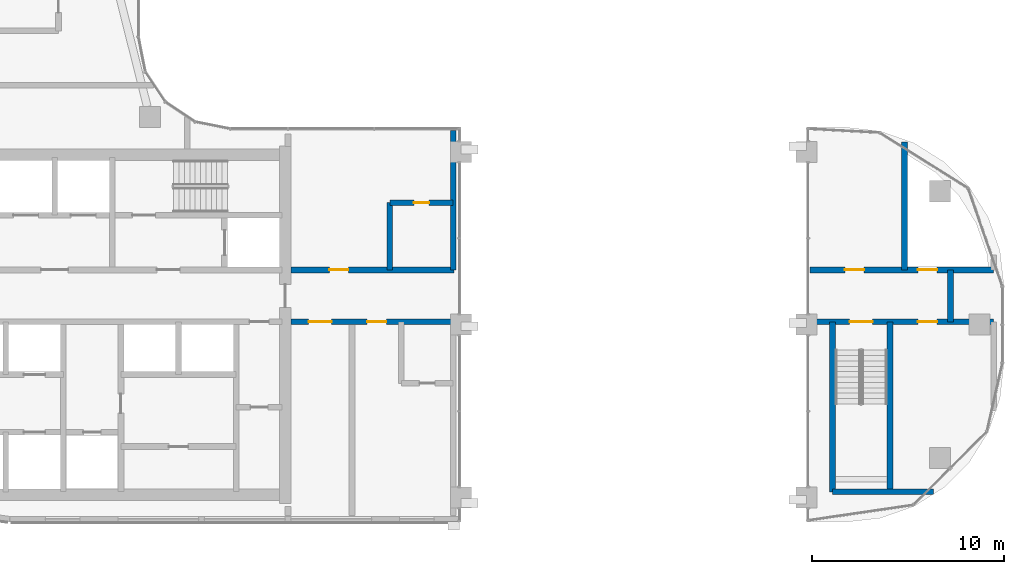
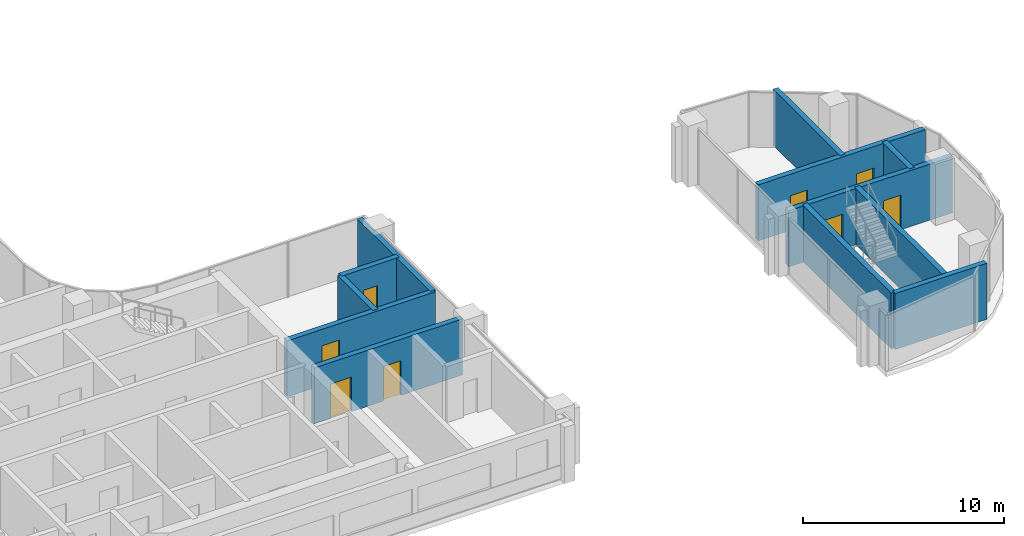
# One storey, part 12 of 23: 12 walls, 8 doors, 8 openings.
"""IFC4 building model written with IfcOpenShell, lengths in metres."""

import ifcopenshell
import ifcopenshell.guid

model = None  # the IFC model being written
_history = None  # IfcOwnerHistory: only IFC2X3 demands one
_inside = {}  # id of a spatial element -> (the spatial element, [elements in it])
_under = {}  # id of a project, library or spatial element -> (it, [spatial elements below it])
_declared = {}  # id of a project -> (the project, [libraries it declares])
_typed = {}  # id of a type object -> (the type object, [elements of that type])
_made_of = {}  # id of a material, layer set ... -> (it, [elements and type objects made of it])


def new_model(schema):
    """Start an empty IFC model of exactly this schema.

    Asked for "IFC4X3", IfcOpenShell would pick the latest addendum, in which some entities
    have other attributes; the version numbers below select the first issue.
    IFC2X3 requires an IfcOwnerHistory on every rooted entity: one is made here for all.
    """
    global model, _history
    if schema == "IFC4X3":
        model = ifcopenshell.file(schema_version=(4, 3, 0, 0))
    else:
        model = ifcopenshell.file(schema=schema)
    _inside.clear()
    _under.clear()
    _declared.clear()
    _typed.clear()
    _made_of.clear()
    _history = None
    if model.schema == "IFC2X3":
        org = make("IfcOrganization", Name="unknown")
        user = make(
            "IfcPersonAndOrganization",
            ThePerson=make("IfcPerson", FamilyName="unknown"),
            TheOrganization=org,
        )
        app = make(
            "IfcApplication",
            ApplicationDeveloper=org,
            Version="unknown",
            ApplicationFullName="unknown",
            ApplicationIdentifier="unknown",
        )
        _history = make(
            "IfcOwnerHistory",
            OwningUser=user,
            OwningApplication=app,
            ChangeAction="ADDED",
            CreationDate=0,
        )
    return model


def make(cls, **values):
    """One entity of the class cls with the attributes given. An attribute that is None is left unset."""
    return model.create_entity(
        cls, **{name: value for name, value in values.items() if value is not None}
    )


def rooted(cls, **values):
    """An entity with a GlobalId (a new one), such as an element, a storey or a relation."""
    return make(cls, GlobalId=ifcopenshell.guid.new(), OwnerHistory=_history, **values)


def si_unit(unit_type, name, prefix=None):
    """IfcSIUnit, for example si_unit("LENGTHUNIT", "METRE", prefix="MILLI")."""
    return make("IfcSIUnit", UnitType=unit_type, Prefix=prefix, Name=name)


def assignment(units):
    """IfcUnitAssignment: the units of a project."""
    return None if units is None else make("IfcUnitAssignment", Units=units)


def point(xyz):
    """IfcCartesianPoint."""
    return None if xyz is None else make("IfcCartesianPoint", Coordinates=xyz)


def direction(xyz):
    """IfcDirection."""
    return None if xyz is None else make("IfcDirection", DirectionRatios=xyz)


def frame(location, z_axis=None, x_axis=None):
    """IfcAxis2Placement3D, a coordinate frame: its origin and axes. An axis left out is left unset."""
    return make(
        "IfcAxis2Placement3D",
        Location=point(location),
        Axis=direction(z_axis),
        RefDirection=direction(x_axis),
    )


def frame_2d(location, x_axis=None):
    """IfcAxis2Placement2D, a coordinate frame in the plane: its origin and x axis."""
    return make(
        "IfcAxis2Placement2D", Location=point(location), RefDirection=direction(x_axis)
    )


def origin():
    """The frame at (0, 0, 0) with its axes left unset."""
    return frame((0.0, 0.0, 0.0))


def place(relative_to, where):
    """IfcLocalPlacement: puts the frame where relative to a parent placement (None: the world)."""
    return make(
        "IfcLocalPlacement", PlacementRelTo=relative_to, RelativePlacement=where
    )


def context(
    kind, dimensions, precision=None, world=None, true_north=None, identifier=None
):
    """IfcGeometricRepresentationContext, for example the 3D "Model" context."""
    return make(
        "IfcGeometricRepresentationContext",
        ContextIdentifier=identifier,
        ContextType=kind,
        CoordinateSpaceDimension=dimensions,
        Precision=precision,
        WorldCoordinateSystem=world,
        TrueNorth=true_north,
    )


def subcontext(parent, identifier, kind, view, scale=None):
    """IfcGeometricRepresentationSubContext, for example "Body" below "Model"."""
    return make(
        "IfcGeometricRepresentationSubContext",
        ContextIdentifier=identifier,
        ContextType=kind,
        ParentContext=parent,
        TargetScale=scale,
        TargetView=view,
    )


def project(units=None, contexts=None):
    """IfcProject with its units and contexts."""
    return rooted(
        "IfcProject",
        Name="project",
        RepresentationContexts=contexts,
        UnitsInContext=assignment(units),
    )


def spatial(cls, under=None, at=None, **own):
    """A site, building, storey or space (cls), placed at a placement, below another one or the project."""
    s = rooted(cls, ObjectPlacement=at, **own)
    if under is not None:
        _under.setdefault(under.id(), (under, []))[1].append(s)
    return s


def profile(cls, at=None, kind="AREA", **sizes):
    """A parametric profile (cls). Its sizes go by their IFC names, for example OverallWidth=200.0."""
    return make(cls, ProfileType=kind, Position=at, **sizes)


def rectangle(**sizes):
    """IfcRectangleProfileDef."""
    return profile("IfcRectangleProfileDef", **sizes)


def extrude(swept, where, along, depth):
    """IfcExtrudedAreaSolid: the profile swept, set in the frame where, extruded along a direction by depth."""
    return make(
        "IfcExtrudedAreaSolid",
        SweptArea=swept,
        Position=where,
        ExtrudedDirection=direction(along),
        Depth=depth,
    )


def shape(context_of_items, identifier, shape_type, items):
    """IfcShapeRepresentation: the items that make up one representation, for example the "Body"."""
    return make(
        "IfcShapeRepresentation",
        ContextOfItems=context_of_items,
        RepresentationIdentifier=identifier,
        RepresentationType=shape_type,
        Items=items,
    )


def material(Name=None, Category=None):
    """IfcMaterial."""
    return make("IfcMaterial", Name=Name, Category=Category)


def layer(
    of_material, thickness, ventilated=None, Name=None, Category=None, Priority=None
):
    """IfcMaterialLayer: one layer of a wall or slab, of a material (None: an air gap)."""
    return make(
        "IfcMaterialLayer",
        Material=of_material,
        LayerThickness=thickness,
        IsVentilated=ventilated,
        Name=Name,
        Category=Category,
        Priority=Priority,
    )


def layer_set(layers, Name=None):
    """IfcMaterialLayerSet."""
    return make("IfcMaterialLayerSet", MaterialLayers=layers, LayerSetName=Name)


def made_of(thing, what):
    """Note that an element or type object is made of a material, layer set ...; save() writes the relation."""
    if what is not None:
        _made_of.setdefault(what.id(), (what, []))[1].append(thing)
    return thing


def type_object(cls, material=None, **own):
    """A type object (cls), such as IfcWallType, which elements share."""
    return made_of(rooted(cls, **own), material)


def element(
    cls,
    number,
    at=None,
    inside=None,
    cuts=None,
    type_object=None,
    material=None,
    context=None,
    identifier="Body",
    shape_type=None,
    held_by="IfcProductDefinitionShape",
    body=None,
    shapes=None,
    **own,
):
    """One element of the class cls, such as IfcWall. Its Tag is "e" and its number.

    at: its placement. inside: the storey or other place that contains it. cuts: it is an
    opening in that element (IfcRelVoidsElement). A single representation is given by context,
    identifier, shape_type and body (its items); several are given by shapes. held_by: the class
    of the entity that holds the representations. save() writes the other relations.
    """
    e = rooted(cls, Tag="e%d" % number, ObjectPlacement=at, **own)
    if body is not None:
        shapes = [shape(context, identifier, shape_type, body)]
    if shapes is not None:
        e.Representation = make(held_by, Representations=shapes)
    if inside is not None:
        _inside.setdefault(inside.id(), (inside, []))[1].append(e)
    if cuts is not None:
        rooted(
            "IfcRelVoidsElement", RelatingBuildingElement=cuts, RelatedOpeningElement=e
        )
    if type_object is not None:
        _typed.setdefault(type_object.id(), (type_object, []))[1].append(e)
    return made_of(e, material)


def fill(opening, filler):
    """IfcRelFillsElement: the door or window that sits in an opening."""
    return rooted(
        "IfcRelFillsElement",
        RelatingOpeningElement=opening,
        RelatedBuildingElement=filler,
    )


def aggregate(whole, parts):
    """IfcRelAggregates: a whole, such as a stair, and the parts it consists of."""
    return rooted("IfcRelAggregates", RelatingObject=whole, RelatedObjects=parts)


def save(model, path):
    """Write the relations noted so far, then the file.

    IfcRelAggregates (storeys below a building ...), IfcRelContainedInSpatialStructure (elements
    in a storey), IfcRelDefinesByType, IfcRelAssociatesMaterial and IfcRelDeclares: one each for
    every whole, place, type object, material and project.
    """
    for whole, parts in _under.values():
        aggregate(whole, parts)
    for where, things in _inside.values():
        rooted(
            "IfcRelContainedInSpatialStructure",
            RelatedElements=things,
            RelatingStructure=where,
        )
    for kind, things in _typed.values():
        rooted("IfcRelDefinesByType", RelatedObjects=things, RelatingType=kind)
    for what, things in _made_of.values():
        rooted("IfcRelAssociatesMaterial", RelatedObjects=things, RelatingMaterial=what)
    for by, libraries in _declared.values():
        rooted("IfcRelDeclares", RelatingContext=by, RelatedDefinitions=libraries)
    model.write(path)


model = new_model("IFC4")

# Units and contexts
model_context = context("Model", 3, precision=1e-05, world=origin(), true_north=direction((0.0, 1.0)))
body_context = subcontext(model_context, "Body", "Model", "MODEL_VIEW")
ifc_project = project(units=[si_unit("LENGTHUNIT", "METRE"), si_unit("AREAUNIT", "SQUARE_METRE"), si_unit("VOLUMEUNIT", "CUBIC_METRE"), si_unit("PLANEANGLEUNIT", "RADIAN"), si_unit("MASSUNIT", "GRAM", prefix="KILO")], contexts=[model_context])

# Site, building, storey
site_placement = place(None, origin())
site = spatial("IfcSite", under=ifc_project, at=site_placement, CompositionType="ELEMENT")
building_placement = place(site_placement, origin())
building = spatial("IfcBuilding", under=site, at=building_placement, Name="Ogive Portal Towers", CompositionType="ELEMENT")
storey_placement = place(building_placement, frame((0.0, 0.0, 168.10009765625)))
storey = spatial("IfcBuildingStorey", under=building, at=storey_placement, Name="L41", CompositionType="ELEMENT", Elevation=168.10009765625)

# Wall
ifc_material_1 = material(Name="Concrete C50/60", Category="concrete")
ifc_layer_1 = layer(ifc_material_1, 0.300048828125)
ifc_layer_set_1 = layer_set([ifc_layer_1], Name="STAIR WALL 300 C50")
wall_type_1 = type_object("IfcWallType", Name="STAIR WALL 300 C50", PredefinedType="SHEAR", material=ifc_layer_set_1)
wall_1_placement = place(storey_placement, frame((86.85009765625, 21.800048828125, 0.0), z_axis=(0.0, 0.0, 1.0), x_axis=(1.0, 0.0, 0.0)))
element("IfcWall", 1, at=wall_1_placement, inside=storey, type_object=wall_type_1, Name="Stair wall ST-A4 L41", PredefinedType="SHEAR", context=body_context, shape_type="SweptSolid", body=[
    extrude(rectangle(XDim=5.263916015625, YDim=0.300048828125, at=frame_2d((2.6318359375, 0.0))), origin(), (0.0, 0.0, 1.0), 3.39990234375),
])

# Wall, openings, doors
wall_2_placement = place(storey_placement, frame((85.85009765625, 30.64990234375, 0.0), z_axis=(0.0, 0.0, 1.0), x_axis=(1.0, 0.0, 0.0)))
wall_2 = element("IfcWall", 2, at=wall_2_placement, inside=storey, type_object=wall_type_1, Name="Stair wall ST-A4 L41", PredefinedType="SHEAR", context=body_context, shape_type="SweptSolid", body=[
    extrude(rectangle(XDim=9.39990234375, YDim=0.300048828125, at=frame_2d((4.699951171875, 0.0))), origin(), (0.0, 0.0, 1.0), 3.39990234375),
])
opening_1_placement = place(wall_2_placement, frame((1.89990234375, 0.0, 0.0)))
opening_1 = element("IfcOpeningElement", 3, at=opening_1_placement, cuts=wall_2, Name="Opening D16-048", PredefinedType="OPENING", context=body_context, shape_type="SweptSolid", body=[
    extrude(rectangle(XDim=1.199951171875, YDim=2.10009765625, at=frame_2d((0.60009765625, 1.050048828125))), frame((0.0, 0.16015625, 0.0), z_axis=(0.0, -1.0, 0.0), x_axis=(1.0, 0.0, 0.0)), (0.0, 0.0, 1.0), 0.320068359375),
])
opening_2_placement = place(wall_2_placement, frame((5.449951171875, 0.0, 0.0)))
opening_2 = element("IfcOpeningElement", 4, at=opening_2_placement, cuts=wall_2, Name="Opening D16-051", PredefinedType="OPENING", context=body_context, shape_type="SweptSolid", body=[
    extrude(rectangle(XDim=1.0, YDim=2.10009765625, at=frame_2d((0.5, 1.050048828125))), frame((0.0, 0.16015625, 0.0), z_axis=(0.0, -1.0, 0.0), x_axis=(1.0, 0.0, 0.0)), (0.0, 0.0, 1.0), 0.320068359375),
])
ifc_material_2 = material(Name="Steel fire door", Category="steel")
door_type_1 = type_object("IfcDoorType", Name="DT-SERVICE-1000x2100-FD90S", OperationType="SINGLE_SWING_LEFT", PredefinedType="DOOR", material=ifc_material_2)
door_1_placement = place(opening_2_placement, origin())
door_1 = element("IfcDoor", 5, at=door_1_placement, inside=storey, type_object=door_type_1, Name="Door D16-051", OperationType="SINGLE_SWING_LEFT", OverallHeight=2.10009765625, OverallWidth=1.0, PredefinedType="DOOR", context=body_context, shape_type="SweptSolid", body=[
    extrude(rectangle(XDim=1.0, YDim=2.10009765625, at=frame_2d((0.5, 1.050048828125))), frame((0.0, 0.02490234375, 0.0), z_axis=(0.0, -1.0, 0.0), x_axis=(1.0, 0.0, 0.0)), (0.0, 0.0, 1.0), 0.050048828125),
])
fill(opening_2, door_1)
door_type_2 = type_object("IfcDoorType", Name="DT-STAIR-1200x2100-FD90S", OperationType="SINGLE_SWING_LEFT", PredefinedType="DOOR", material=ifc_material_2)
door_2_placement = place(opening_1_placement, origin())
door_2 = element("IfcDoor", 6, at=door_2_placement, inside=storey, type_object=door_type_2, Name="Door D16-048", OperationType="SINGLE_SWING_LEFT", OverallHeight=2.10009765625, OverallWidth=1.199951171875, PredefinedType="DOOR", context=body_context, shape_type="SweptSolid", body=[
    extrude(rectangle(XDim=1.199951171875, YDim=2.10009765625, at=frame_2d((0.60009765625, 1.050048828125))), frame((0.0, 0.02490234375, 0.0), z_axis=(0.0, -1.0, 0.0), x_axis=(1.0, 0.0, 0.0)), (0.0, 0.0, 1.0), 0.050048828125),
])
fill(opening_1, door_2)

# Walls
for number, where, z_axis, x_axis, name in (
    (7, (86.85009765625, 21.800048828125, 0.0), (0.0, 0.0, 1.0), (0.0, 1.0, 0.0), "Stair wall ST-A4 L41"),
    (8, (89.85009765625, 21.800048828125, 0.0), (0.0, 0.0, 1.0), (0.0, 1.0, 0.0), "Stair wall ST-A4 L41"),
):
    element("IfcWall", number, at=place(storey_placement, frame(where, z_axis=z_axis, x_axis=x_axis)), inside=storey, type_object=wall_type_1, Name=name, PredefinedType="SHEAR", context=body_context, shape_type="SweptSolid", body=[
        extrude(rectangle(XDim=8.849853515625, YDim=0.300048828125, at=frame_2d((4.4248046875, 0.0))), origin(), (0.0, 0.0, 1.0), 3.39990234375),
    ])

# Wall, openings, doors
ifc_material_3 = material(Name="Gypsum board partition on steel studs", Category="steel")
ifc_layer_2 = layer(ifc_material_3, 0.300048828125)
ifc_layer_set_2 = layer_set([ifc_layer_2], Name="WT-PART-300-EI 120")
wall_type_2 = type_object("IfcWallType", Name="WT-PART-300-EI 120", PredefinedType="PARTITIONING", material=ifc_layer_set_2)
wall_3_placement = place(storey_placement, frame((58.64990234375, 30.64990234375, 0.0), z_axis=(0.0, 0.0, 1.0), x_axis=(1.0, 0.0, 0.0)))
wall_3 = element("IfcWall", 9, at=wall_3_placement, inside=storey, type_object=wall_type_2, Name="Wall L41:w003", PredefinedType="PARTITIONING", context=body_context, shape_type="SweptSolid", body=[
    extrude(rectangle(XDim=8.5, YDim=0.300048828125, at=frame_2d((4.25, 0.0))), origin(), (0.0, 0.0, 1.0), 3.39990234375),
])
opening_3_placement = place(wall_3_placement, frame((0.9189453125, 0.0, 0.0)))
opening_3 = element("IfcOpeningElement", 10, at=opening_3_placement, cuts=wall_3, Name="Opening D16-028", PredefinedType="OPENING", context=body_context, shape_type="SweptSolid", body=[
    extrude(rectangle(XDim=1.199951171875, YDim=2.10009765625, at=frame_2d((0.60009765625, 1.050048828125))), frame((0.0, 0.16015625, 0.0), z_axis=(0.0, -1.0, 0.0), x_axis=(1.0, 0.0, 0.0)), (0.0, 0.0, 1.0), 0.320068359375),
])
opening_4_placement = place(wall_3_placement, frame((3.968994140625, 0.0, 0.0)))
opening_4 = element("IfcOpeningElement", 11, at=opening_4_placement, cuts=wall_3, Name="Opening D16-030", PredefinedType="OPENING", context=body_context, shape_type="SweptSolid", body=[
    extrude(rectangle(XDim=1.0, YDim=2.10009765625, at=frame_2d((0.5, 1.050048828125))), frame((0.0, 0.16015625, 0.0), z_axis=(0.0, -1.0, 0.0), x_axis=(1.0, 0.0, 0.0)), (0.0, 0.0, 1.0), 0.320068359375),
])
door_type_3 = type_object("IfcDoorType", Name="DT-ENTRY-1000x2100-FD90S", OperationType="SINGLE_SWING_LEFT", PredefinedType="DOOR", material=ifc_material_2)
door_3_placement = place(opening_4_placement, origin())
door_3 = element("IfcDoor", 12, at=door_3_placement, inside=storey, type_object=door_type_3, Name="Door D16-030", OperationType="SINGLE_SWING_LEFT", OverallHeight=2.10009765625, OverallWidth=1.0, PredefinedType="DOOR", context=body_context, shape_type="SweptSolid", body=[
    extrude(rectangle(XDim=1.0, YDim=2.10009765625, at=frame_2d((0.5, 1.050048828125))), frame((0.0, 0.02490234375, 0.0), z_axis=(0.0, -1.0, 0.0), x_axis=(1.0, 0.0, 0.0)), (0.0, 0.0, 1.0), 0.050048828125),
])
fill(opening_4, door_3)
door_type_4 = type_object("IfcDoorType", Name="DT-ENTRY-1200x2100-FD90S", OperationType="SINGLE_SWING_LEFT", PredefinedType="DOOR", material=ifc_material_2)
door_4_placement = place(opening_3_placement, origin())
door_4 = element("IfcDoor", 13, at=door_4_placement, inside=storey, type_object=door_type_4, Name="Door D16-028", OperationType="SINGLE_SWING_RIGHT", OverallHeight=2.10009765625, OverallWidth=1.199951171875, PredefinedType="DOOR", context=body_context, shape_type="SweptSolid", body=[
    extrude(rectangle(XDim=1.199951171875, YDim=2.10009765625, at=frame_2d((0.60009765625, 1.050048828125))), frame((0.0, 0.02490234375, 0.0), z_axis=(0.0, -1.0, 0.0), x_axis=(1.0, 0.0, 0.0)), (0.0, 0.0, 1.0), 0.050048828125),
])
fill(opening_3, door_4)

# Wall, opening, door
wall_4_placement = place(storey_placement, frame((58.64990234375, 33.35009765625, 0.0), z_axis=(0.0, 0.0, 1.0), x_axis=(1.0, 0.0, 0.0)))
wall_4 = element("IfcWall", 14, at=wall_4_placement, inside=storey, type_object=wall_type_2, Name="Wall L41:w005", PredefinedType="PARTITIONING", context=body_context, shape_type="SweptSolid", body=[
    extrude(rectangle(XDim=8.5, YDim=0.300048828125, at=frame_2d((4.25, 0.0))), origin(), (0.0, 0.0, 1.0), 3.39990234375),
])
opening_5_placement = place(wall_4_placement, frame((2.0, 0.0, 0.0)))
opening_5 = element("IfcOpeningElement", 15, at=opening_5_placement, cuts=wall_4, Name="Opening D16-027", PredefinedType="OPENING", context=body_context, shape_type="SweptSolid", body=[
    extrude(rectangle(XDim=1.0, YDim=2.39990234375, at=frame_2d((0.5, 1.199951171875))), frame((0.0, 0.16015625, 0.0), z_axis=(0.0, -1.0, 0.0), x_axis=(1.0, 0.0, 0.0)), (0.0, 0.0, 1.0), 0.320068359375),
])
door_type_5 = type_object("IfcDoorType", Name="DT-ENTRY-1000x2400-FD90S", OperationType="SINGLE_SWING_LEFT", PredefinedType="DOOR", material=ifc_material_2)
door_5_placement = place(opening_5_placement, origin())
door_5 = element("IfcDoor", 16, at=door_5_placement, inside=storey, type_object=door_type_5, Name="Door D16-027", OperationType="SINGLE_SWING_LEFT", OverallHeight=2.39990234375, OverallWidth=1.0, PredefinedType="DOOR", context=body_context, shape_type="SweptSolid", body=[
    extrude(rectangle(XDim=1.0, YDim=2.39990234375, at=frame_2d((0.5, 1.199951171875))), frame((0.0, 0.02490234375, 0.0), z_axis=(0.0, -1.0, 0.0), x_axis=(1.0, 0.0, 0.0)), (0.0, 0.0, 1.0), 0.050048828125),
])
fill(opening_5, door_5)

# Wall, openings, doors
wall_5_placement = place(storey_placement, frame((85.669921875, 33.35009765625, 0.0), z_axis=(0.0, 0.0, 1.0), x_axis=(1.0, 0.0, 0.0)))
wall_5 = element("IfcWall", 17, at=wall_5_placement, inside=storey, type_object=wall_type_2, Name="Wall L41:w006", PredefinedType="PARTITIONING", context=body_context, shape_type="SweptSolid", body=[
    extrude(rectangle(XDim=9.580078125, YDim=0.300048828125, at=frame_2d((4.7900390625, 0.0))), origin(), (0.0, 0.0, 1.0), 3.39990234375),
])
opening_6_placement = place(wall_5_placement, frame((1.830078125, 0.0, 0.0)))
opening_6 = element("IfcOpeningElement", 18, at=opening_6_placement, cuts=wall_5, Name="Opening D16-049", PredefinedType="OPENING", context=body_context, shape_type="SweptSolid", body=[
    extrude(rectangle(XDim=1.0, YDim=2.10009765625, at=frame_2d((0.5, 1.050048828125))), frame((0.0, 0.16015625, 0.0), z_axis=(0.0, -1.0, 0.0), x_axis=(1.0, 0.0, 0.0)), (0.0, 0.0, 1.0), 0.320068359375),
])
opening_7_placement = place(wall_5_placement, frame((5.6298828125, 0.0, 0.0)))
opening_7 = element("IfcOpeningElement", 19, at=opening_7_placement, cuts=wall_5, Name="Opening D16-050", PredefinedType="OPENING", context=body_context, shape_type="SweptSolid", body=[
    extrude(rectangle(XDim=1.0, YDim=2.10009765625, at=frame_2d((0.5, 1.050048828125))), frame((0.0, 0.16015625, 0.0), z_axis=(0.0, -1.0, 0.0), x_axis=(1.0, 0.0, 0.0)), (0.0, 0.0, 1.0), 0.320068359375),
])
door_6_placement = place(opening_6_placement, origin())
door_6 = element("IfcDoor", 20, at=door_6_placement, inside=storey, type_object=door_type_1, Name="Door D16-049", OperationType="SINGLE_SWING_LEFT", OverallHeight=2.10009765625, OverallWidth=1.0, PredefinedType="DOOR", context=body_context, shape_type="SweptSolid", body=[
    extrude(rectangle(XDim=1.0, YDim=2.10009765625, at=frame_2d((0.5, 1.050048828125))), frame((0.0, 0.02490234375, 0.0), z_axis=(0.0, -1.0, 0.0), x_axis=(1.0, 0.0, 0.0)), (0.0, 0.0, 1.0), 0.050048828125),
])
fill(opening_6, door_6)
door_7_placement = place(opening_7_placement, origin())
door_7 = element("IfcDoor", 21, at=door_7_placement, inside=storey, type_object=door_type_1, Name="Riser access door D16-050", OperationType="SINGLE_SWING_RIGHT", OverallHeight=2.10009765625, OverallWidth=1.0, PredefinedType="DOOR", context=body_context, shape_type="SweptSolid", body=[
    extrude(rectangle(XDim=1.0, YDim=2.10009765625, at=frame_2d((0.5, 1.050048828125))), frame((0.0, 0.02490234375, 0.0), z_axis=(0.0, -1.0, 0.0), x_axis=(1.0, 0.0, 0.0)), (0.0, 0.0, 1.0), 0.050048828125),
])
fill(opening_7, door_7)

# Wall
wall_6_placement = place(storey_placement, frame((93.0, 30.64990234375, 0.0), z_axis=(0.0, 0.0, 1.0), x_axis=(0.0, 1.0, 0.0)))
element("IfcWall", 22, at=wall_6_placement, inside=storey, type_object=wall_type_2, Name="Wall L41:w047", PredefinedType="PARTITIONING", context=body_context, shape_type="SweptSolid", body=[
    extrude(rectangle(XDim=2.7001953125, YDim=0.300048828125, at=frame_2d((1.35009765625, 0.0))), origin(), (0.0, 0.0, 1.0), 3.39990234375),
])

# Wall, opening, door
ifc_layer_3 = layer(ifc_material_3, 0.300048828125)
ifc_layer_set_3 = layer_set([ifc_layer_3], Name="WT-PART-300-EI 60")
wall_type_3 = type_object("IfcWallType", Name="WT-PART-300-EI 60", PredefinedType="PARTITIONING", material=ifc_layer_set_3)
wall_7_placement = place(storey_placement, frame((63.800048828125, 36.85009765625, 0.0), z_axis=(0.0, 0.0, 1.0), x_axis=(1.0, 0.0, 0.0)))
wall_7 = element("IfcWall", 23, at=wall_7_placement, inside=storey, type_object=wall_type_3, Name="Wall L41:w007", PredefinedType="PARTITIONING", context=body_context, shape_type="SweptSolid", body=[
    extrude(rectangle(XDim=3.300048828125, YDim=0.300048828125, at=frame_2d((1.64990234375, 0.0))), origin(), (0.0, 0.0, 1.0), 3.39990234375),
])
opening_8_placement = place(wall_7_placement, frame((1.25, 0.0, 0.0)))
opening_8 = element("IfcOpeningElement", 24, at=opening_8_placement, cuts=wall_7, Name="Opening D16-026", PredefinedType="OPENING", context=body_context, shape_type="SweptSolid", body=[
    extrude(rectangle(XDim=0.800048828125, YDim=2.10009765625, at=frame_2d((0.39990234375, 1.050048828125))), frame((0.0, 0.16015625, 0.0), z_axis=(0.0, -1.0, 0.0), x_axis=(1.0, 0.0, 0.0)), (0.0, 0.0, 1.0), 0.320068359375),
])
door_type_6 = type_object("IfcDoorType", Name="DT-BATH-800x2100-FD60S", OperationType="SINGLE_SWING_LEFT", PredefinedType="DOOR", material=ifc_material_2)
door_8_placement = place(opening_8_placement, origin())
door_8 = element("IfcDoor", 25, at=door_8_placement, inside=storey, type_object=door_type_6, Name="Door D16-026", OperationType="SINGLE_SWING_LEFT", OverallHeight=2.10009765625, OverallWidth=0.800048828125, PredefinedType="DOOR", context=body_context, shape_type="SweptSolid", body=[
    extrude(rectangle(XDim=0.800048828125, YDim=2.10009765625, at=frame_2d((0.39990234375, 1.050048828125))), frame((0.0, 0.02490234375, 0.0), z_axis=(0.0, -1.0, 0.0), x_axis=(1.0, 0.0, 0.0)), (0.0, 0.0, 1.0), 0.050048828125),
])
fill(opening_8, door_8)

# Walls
wall_8_placement = place(storey_placement, frame((63.800048828125, 33.35009765625, 0.0), z_axis=(0.0, 0.0, 1.0), x_axis=(0.0, 1.0, 0.0)))
element("IfcWall", 26, at=wall_8_placement, inside=storey, type_object=wall_type_3, Name="Wall L41:w040", PredefinedType="PARTITIONING", context=body_context, shape_type="SweptSolid", body=[
    extrude(rectangle(XDim=3.5, YDim=0.300048828125, at=frame_2d((1.75, 0.0))), origin(), (0.0, 0.0, 1.0), 3.39990234375),
])
wall_9_placement = place(storey_placement, frame((67.10009765625, 33.35009765625, 0.0), z_axis=(0.0, 0.0, 1.0), x_axis=(0.0, 1.0, 0.0)))
element("IfcWall", 27, at=wall_9_placement, inside=storey, type_object=wall_type_3, Name="Wall L41:w043", PredefinedType="PARTITIONING", context=body_context, shape_type="SweptSolid", body=[
    extrude(rectangle(XDim=7.264892578125, YDim=0.300048828125, at=frame_2d((3.63232421875, 0.0))), origin(), (0.0, 0.0, 1.0), 3.39990234375),
])
wall_10_placement = place(storey_placement, frame((90.60009765625, 33.35009765625, 0.0), z_axis=(0.0, 0.0, 1.0), x_axis=(0.0, 1.0, 0.0)))
element("IfcWall", 28, at=wall_10_placement, inside=storey, type_object=wall_type_3, Name="Wall L41:w046", PredefinedType="PARTITIONING", context=body_context, shape_type="SweptSolid", body=[
    extrude(rectangle(XDim=6.671875, YDim=0.300048828125, at=frame_2d((3.3359375, 0.0))), origin(), (0.0, 0.0, 1.0), 3.39990234375),
])

save(model, "model.ifc")
